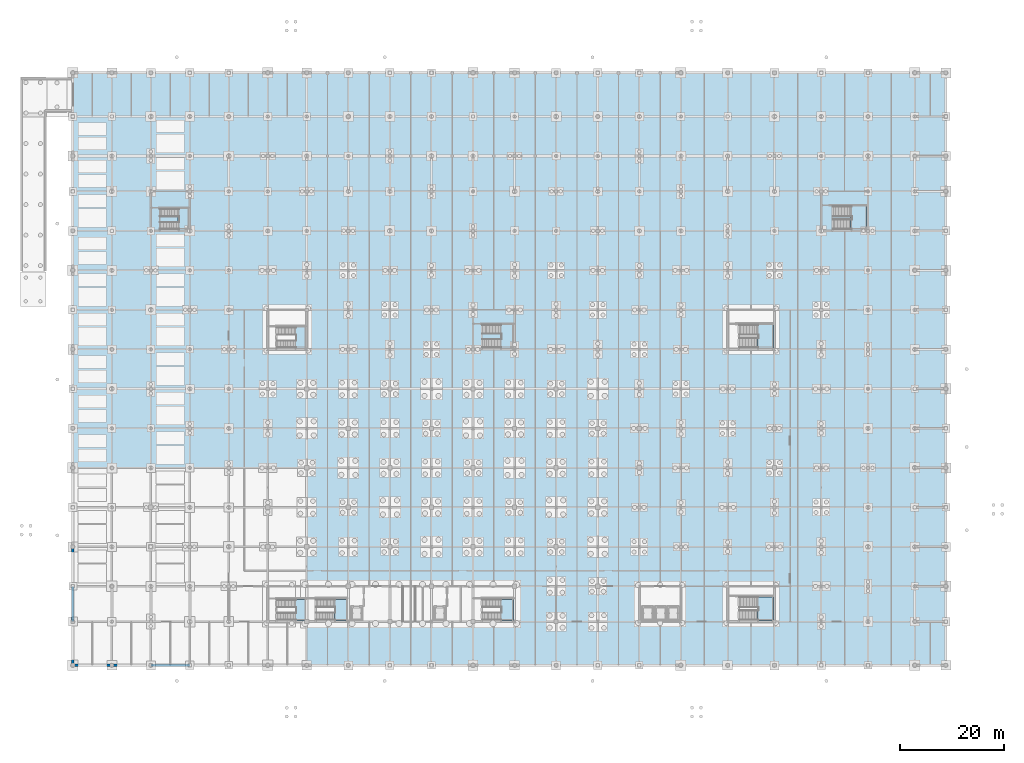
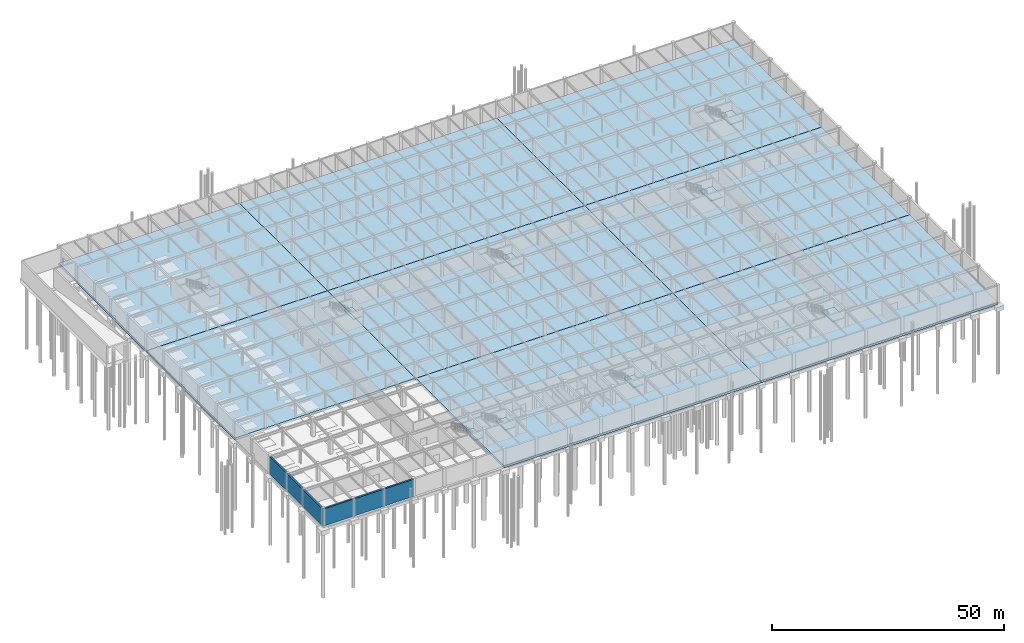
# One storey, part 38 of 53: 17 slabs, 6 walls, 9 elements without a shape of their own.
"""IFC4 building model written with IfcOpenShell, lengths in metres."""

from ifc_helpers import new_model, si_unit, direction, frame, frame_2d, origin, place, context, subcontext, project, spatial, polyline, rectangle, outline, extrude, material, layer, layer_set, type_object, element, aggregate, save


model = new_model("IFC4")

# Units and contexts
model_context = context("Model", 3, precision=1e-05, world=origin(), true_north=direction((0.0, 1.0)))
body_context = subcontext(model_context, "Body", "Model", "MODEL_VIEW")
ifc_project = project(units=[si_unit("LENGTHUNIT", "METRE"), si_unit("AREAUNIT", "SQUARE_METRE"), si_unit("VOLUMEUNIT", "CUBIC_METRE"), si_unit("PLANEANGLEUNIT", "RADIAN"), si_unit("MASSUNIT", "GRAM", prefix="KILO")], contexts=[model_context])

# Site, building, storey
site_placement = place(None, origin())
site = spatial("IfcSite", under=ifc_project, at=site_placement, CompositionType="ELEMENT")
building_placement = place(site_placement, origin())
building = spatial("IfcBuilding", under=site, at=building_placement, Name="Shalkamar Park Central Library", CompositionType="ELEMENT")
storey_placement = place(building_placement, frame((0.0, 0.0, -4.800048828125)))
storey = spatial("IfcBuildingStorey", under=building, at=storey_placement, Name="B1", CompositionType="ELEMENT", Elevation=-4.800048828125)

# Slabs
ifc_material_1 = material(Name="Concrete C35/45", Category="concrete")
ifc_layer_1 = layer(ifc_material_1, 0.60009765625)
ifc_layer_set_1 = layer_set([ifc_layer_1], Name="Concrete C35/45")
slab_type_1 = type_object("IfcSlabType", Name="Basement Base Slab 600", PredefinedType="BASESLAB", material=ifc_layer_set_1)
slab_1_placement = place(storey_placement, frame((0.0, 0.0, -0.599853515625)))
element("IfcSlab", 1, at=slab_1_placement, inside=storey, type_object=slab_type_1, Name="Basement B1 Base Slab Sector 4", PredefinedType="BASESLAB", context=body_context, shape_type="SweptSolid", body=[
    extrude(outline(polyline([(120.0, 278.0), (165.0, 278.0), (165.0, 316.0), (120.0, 316.0), (120.0, 278.0)])), origin(), (0.0, 0.0, 1.0), 0.599853515625),
])
slab_2_placement = place(storey_placement, frame((0.0, 0.0, -0.599853515625)))
element("IfcSlab", 2, at=slab_2_placement, inside=storey, type_object=slab_type_1, Name="Basement B1 Base Slab Sector 7", PredefinedType="BASESLAB", context=body_context, shape_type="SweptSolid", body=[
    extrude(outline(polyline([(120.0, 316.0), (165.0, 316.0), (165.0, 354.0), (120.0, 354.0), (120.0, 316.0)])), origin(), (0.0, 0.0, 1.0), 0.599853515625),
])
slab_3_placement = place(storey_placement, frame((0.0, 0.0, -0.599853515625)))
element("IfcSlab", 3, at=slab_3_placement, inside=storey, type_object=slab_type_1, Name="Basement B1 Base Slab Sector 2", PredefinedType="BASESLAB", context=body_context, shape_type="SweptSolid", body=[
    extrude(outline(polyline([(165.0, 240.0), (229.0, 240.0), (229.0, 278.0), (165.0, 278.0), (165.0, 240.0)])), origin(), (0.0, 0.0, 1.0), 0.599853515625),
])
slab_4_placement = place(storey_placement, frame((0.0, 0.0, -0.599853515625)))
element("IfcSlab", 4, at=slab_4_placement, inside=storey, type_object=slab_type_1, Name="Basement B1 Base Slab Sector 5", PredefinedType="BASESLAB", context=body_context, shape_type="SweptSolid", body=[
    extrude(outline(polyline([(165.0, 278.0), (229.0, 278.0), (229.0, 316.0), (165.0, 316.0), (165.0, 278.0)])), origin(), (0.0, 0.0, 1.0), 0.599853515625),
])
slab_5_placement = place(storey_placement, frame((0.0, 0.0, -0.599853515625)))
element("IfcSlab", 5, at=slab_5_placement, inside=storey, type_object=slab_type_1, Name="Basement B1 Base Slab Sector 8", PredefinedType="BASESLAB", context=body_context, shape_type="SweptSolid", body=[
    extrude(outline(polyline([(165.0, 316.0), (229.0, 316.0), (229.0, 354.0), (165.0, 354.0), (165.0, 316.0)])), origin(), (0.0, 0.0, 1.0), 0.599853515625),
])
slab_6_placement = place(storey_placement, frame((0.0, 0.0, -0.599853515625)))
element("IfcSlab", 6, at=slab_6_placement, inside=storey, type_object=slab_type_1, Name="Basement B1 Base Slab Sector 3", PredefinedType="BASESLAB", context=body_context, shape_type="SweptSolid", body=[
    extrude(outline(polyline([(229.0, 240.0), (288.0, 240.0), (288.0, 278.0), (229.0, 278.0), (229.0, 240.0)])), origin(), (0.0, 0.0, 1.0), 0.599853515625),
])
slab_7_placement = place(storey_placement, frame((0.0, 0.0, -0.599853515625)))
element("IfcSlab", 7, at=slab_7_placement, inside=storey, type_object=slab_type_1, Name="Basement B1 Base Slab Sector 6", PredefinedType="BASESLAB", context=body_context, shape_type="SweptSolid", body=[
    extrude(outline(polyline([(229.0, 278.0), (288.0, 278.0), (288.0, 316.0), (229.0, 316.0), (229.0, 278.0)])), origin(), (0.0, 0.0, 1.0), 0.599853515625),
])
slab_8_placement = place(storey_placement, frame((0.0, 0.0, -0.599853515625)))
element("IfcSlab", 8, at=slab_8_placement, inside=storey, type_object=slab_type_1, Name="Basement B1 Base Slab Sector 9", PredefinedType="BASESLAB", context=body_context, shape_type="SweptSolid", body=[
    extrude(outline(polyline([(229.0, 316.0), (288.0, 316.0), (288.0, 354.0), (229.0, 354.0), (229.0, 316.0)])), origin(), (0.0, 0.0, 1.0), 0.599853515625),
])

# Stair, slab
stair_type_1 = type_object("IfcStairType", Name="Protected Dog Leg Stair 150x480", PredefinedType="TWO_STRAIGHT_RUN_STAIR", material=ifc_material_1)
stair_1_placement = place(storey_placement, origin())
stair_1 = element("IfcStair", 9, at=stair_1_placement, inside=storey, type_object=stair_type_1, Name="Protected Core Stair ST-T1-B1", PredefinedType="TWO_STRAIGHT_RUN_STAIR")
ifc_layer_2 = layer(ifc_material_1, 0.280029296875)
ifc_layer_set_2 = layer_set([ifc_layer_2], Name="Concrete C35/45")
slab_type_2 = type_object("IfcSlabType", Name="Stair Landing Slab 160", PredefinedType="LANDING", material=ifc_layer_set_2)
slab_9_placement = place(storey_placement, frame((0.0, 0.0, 2.1201171875)))
slab_9 = element("IfcSlab", 10, at=slab_9_placement, type_object=slab_type_2, Name="ST-T1-B1 landing 1", PredefinedType="LANDING", context=body_context, shape_type="SweptSolid", body=[
    extrude(outline(polyline([(170.260009765625, 248.6201171875), (172.780029296875, 248.6201171875), (172.780029296875, 252.679931640625), (170.260009765625, 252.679931640625), (170.260009765625, 248.6201171875)])), origin(), (0.0, 0.0, 1.0), 0.280029296875),
])
aggregate(stair_1, [slab_9])

stair_2_placement = place(storey_placement, origin())
stair_2 = element("IfcStair", 11, at=stair_2_placement, inside=storey, type_object=stair_type_1, Name="Protected Core Stair ST-T2-B1", PredefinedType="TWO_STRAIGHT_RUN_STAIR")
slab_10_placement = place(storey_placement, frame((0.0, 0.0, 2.1201171875)))
slab_10 = element("IfcSlab", 12, at=slab_10_placement, type_object=slab_type_2, Name="ST-T2-B1 landing 1", PredefinedType="LANDING", context=body_context, shape_type="SweptSolid", body=[
    extrude(outline(polyline([(202.260009765625, 248.6201171875), (204.780029296875, 248.6201171875), (204.780029296875, 252.679931640625), (202.260009765625, 252.679931640625), (202.260009765625, 248.6201171875)])), origin(), (0.0, 0.0, 1.0), 0.280029296875),
])
aggregate(stair_2, [slab_10])

stair_3_placement = place(storey_placement, origin())
stair_3 = element("IfcStair", 13, at=stair_3_placement, inside=storey, type_object=stair_type_1, Name="Protected Core Stair ST-P1-B1", PredefinedType="TWO_STRAIGHT_RUN_STAIR")
slab_11_placement = place(storey_placement, frame((0.0, 0.0, 2.1201171875)))
slab_11 = element("IfcSlab", 14, at=slab_11_placement, type_object=slab_type_2, Name="ST-P1-B1 landing 1", PredefinedType="LANDING", context=body_context, shape_type="SweptSolid", body=[
    extrude(outline(polyline([(162.735107421875, 248.594970703125), (164.804931640625, 248.594970703125), (164.804931640625, 252.655029296875), (162.735107421875, 252.655029296875), (162.735107421875, 248.594970703125)])), origin(), (0.0, 0.0, 1.0), 0.280029296875),
])
aggregate(stair_3, [slab_11])

stair_4_placement = place(storey_placement, origin())
stair_4 = element("IfcStair", 15, at=stair_4_placement, inside=storey, type_object=stair_type_1, Name="Protected Core Stair ST-P2-B1", PredefinedType="TWO_STRAIGHT_RUN_STAIR")
slab_12_placement = place(storey_placement, frame((0.0, 0.0, 2.1201171875)))
slab_12 = element("IfcSlab", 16, at=slab_12_placement, type_object=slab_type_2, Name="ST-P2-B1 landing 1", PredefinedType="LANDING", context=body_context, shape_type="SweptSolid", body=[
    extrude(outline(polyline([(162.735107421875, 300.9951171875), (164.804931640625, 300.9951171875), (164.804931640625, 305.054931640625), (162.735107421875, 305.054931640625), (162.735107421875, 300.9951171875)])), origin(), (0.0, 0.0, 1.0), 0.280029296875),
])
aggregate(stair_4, [slab_12])

stair_type_2 = type_object("IfcStairType", Name="Protected Dog Leg Stair 200x480", PredefinedType="TWO_STRAIGHT_RUN_STAIR", material=ifc_material_1)
stair_5_placement = place(storey_placement, origin())
stair_5 = element("IfcStair", 17, at=stair_5_placement, inside=storey, type_object=stair_type_2, Name="Protected Core Stair ST-P3-B1", PredefinedType="TWO_STRAIGHT_RUN_STAIR")
slab_13_placement = place(storey_placement, frame((0.0, 0.0, 2.1201171875)))
slab_13 = element("IfcSlab", 18, at=slab_13_placement, type_object=slab_type_2, Name="ST-P3-B1 landing 1", PredefinedType="LANDING", context=body_context, shape_type="SweptSolid", body=[
    extrude(outline(polyline([(251.68505859375, 248.594970703125), (254.804931640625, 248.594970703125), (254.804931640625, 253.155029296875), (251.68505859375, 253.155029296875), (251.68505859375, 248.594970703125)])), origin(), (0.0, 0.0, 1.0), 0.280029296875),
])
aggregate(stair_5, [slab_13])

stair_6_placement = place(storey_placement, origin())
stair_6 = element("IfcStair", 19, at=stair_6_placement, inside=storey, type_object=stair_type_2, Name="Protected Core Stair ST-P4-B1", PredefinedType="TWO_STRAIGHT_RUN_STAIR")
slab_14_placement = place(storey_placement, frame((0.0, 0.0, 2.1201171875)))
slab_14 = element("IfcSlab", 20, at=slab_14_placement, type_object=slab_type_2, Name="ST-P4-B1 landing 1", PredefinedType="LANDING", context=body_context, shape_type="SweptSolid", body=[
    extrude(outline(polyline([(251.68505859375, 300.9951171875), (254.804931640625, 300.9951171875), (254.804931640625, 305.554931640625), (251.68505859375, 305.554931640625), (251.68505859375, 300.9951171875)])), origin(), (0.0, 0.0, 1.0), 0.280029296875),
])
aggregate(stair_6, [slab_14])

stair_7_placement = place(storey_placement, origin())
stair_7 = element("IfcStair", 21, at=stair_7_placement, inside=storey, type_object=stair_type_1, Name="Protected Core Stair ST-P5-B1", PredefinedType="TWO_STRAIGHT_RUN_STAIR")
slab_15_placement = place(storey_placement, frame((0.0, 0.0, 2.1201171875)))
slab_15 = element("IfcSlab", 22, at=slab_15_placement, type_object=slab_type_2, Name="ST-P5-B1 landing 1", PredefinedType="LANDING", context=body_context, shape_type="SweptSolid", body=[
    extrude(outline(polyline([(140.235107421875, 323.794921875), (142.304931640625, 323.794921875), (142.304931640625, 327.85498046875), (140.235107421875, 327.85498046875), (140.235107421875, 323.794921875)])), origin(), (0.0, 0.0, 1.0), 0.280029296875),
])
aggregate(stair_7, [slab_15])

stair_8_placement = place(storey_placement, origin())
stair_8 = element("IfcStair", 23, at=stair_8_placement, inside=storey, type_object=stair_type_2, Name="Protected Core Stair ST-P6-B1", PredefinedType="TWO_STRAIGHT_RUN_STAIR")
slab_16_placement = place(storey_placement, frame((0.0, 0.0, 2.1201171875)))
slab_16 = element("IfcSlab", 24, at=slab_16_placement, type_object=slab_type_2, Name="ST-P6-B1 landing 1", PredefinedType="LANDING", context=body_context, shape_type="SweptSolid", body=[
    extrude(outline(polyline([(269.68505859375, 323.794921875), (272.804931640625, 323.794921875), (272.804931640625, 328.35498046875), (269.68505859375, 328.35498046875), (269.68505859375, 323.794921875)])), origin(), (0.0, 0.0, 1.0), 0.280029296875),
])
aggregate(stair_8, [slab_16])

stair_type_3 = type_object("IfcStairType", Name="Protected Dog Leg Stair 180x480", PredefinedType="TWO_STRAIGHT_RUN_STAIR", material=ifc_material_1)
stair_9_placement = place(storey_placement, origin())
stair_9 = element("IfcStair", 25, at=stair_9_placement, inside=storey, type_object=stair_type_3, Name="Protected Core Stair ST-P7-B1", PredefinedType="TWO_STRAIGHT_RUN_STAIR")
slab_17_placement = place(storey_placement, frame((0.0, 0.0, 2.1201171875)))
slab_17 = element("IfcSlab", 26, at=slab_17_placement, type_object=slab_type_2, Name="ST-P7-B1 landing 1", PredefinedType="LANDING", context=body_context, shape_type="SweptSolid", body=[
    extrude(outline(polyline([(202.2548828125, 300.9951171875), (204.804931640625, 300.9951171875), (204.804931640625, 305.554931640625), (202.2548828125, 305.554931640625), (202.2548828125, 300.9951171875)])), origin(), (0.0, 0.0, 1.0), 0.280029296875),
])
aggregate(stair_9, [slab_17])

# Walls
ifc_material_2 = material(Name="Concrete C40/50", Category="concrete")
ifc_layer_3 = layer(ifc_material_2, 0.449951171875)
ifc_layer_set_3 = layer_set([ifc_layer_3], Name="Concrete C40/50")
wall_type = type_object("IfcWallType", Name="Basement Retaining Shear Wall 450", PredefinedType="SHEAR", material=ifc_layer_set_3)
for number, where, z_axis, x_axis, name in (
    (27, (120.0, 240.0, 0.0), (0.0, 0.0, 1.0), (1.0, 0.0, 0.0), "Basement Retaining Wall S-01"),
    (28, (127.5, 240.0, 0.0), (0.0, 0.0, 1.0), (1.0, 0.0, 0.0), "Basement Retaining Wall S-02"),
    (29, (135.0, 240.0, 0.0), (0.0, 0.0, 1.0), (1.0, 0.0, 0.0), "Basement Retaining Wall S-03"),
):
    element("IfcWall", number, at=place(storey_placement, frame(where, z_axis=z_axis, x_axis=x_axis)), inside=storey, type_object=wall_type, Name=name, PredefinedType="SHEAR", context=body_context, shape_type="SweptSolid", body=[
        extrude(rectangle(XDim=7.5, YDim=0.449951171875, at=frame_2d((3.75, 0.0))), origin(), (0.0, 0.0, 1.0), 4.510009765625),
    ])
wall_1_placement = place(storey_placement, frame((120.0, 240.0, 0.0), z_axis=(0.0, 0.0, 1.0), x_axis=(0.0, 1.0, 0.0)))
element("IfcWall", 30, at=wall_1_placement, inside=storey, type_object=wall_type, Name="Basement Retaining Wall W-A", PredefinedType="SHEAR", context=body_context, shape_type="SweptSolid", body=[
    extrude(rectangle(XDim=8.39990234375, YDim=0.449951171875, at=frame_2d((4.199951171875, 0.0))), origin(), (0.0, 0.0, 1.0), 4.510009765625),
])
wall_2_placement = place(storey_placement, frame((120.0, 248.39990234375, 0.0), z_axis=(0.0, 0.0, 1.0), x_axis=(0.0, 1.0, 0.0)))
element("IfcWall", 31, at=wall_2_placement, inside=storey, type_object=wall_type, Name="Basement Retaining Wall W-B", PredefinedType="SHEAR", context=body_context, shape_type="SweptSolid", body=[
    extrude(rectangle(XDim=6.800048828125, YDim=0.449951171875, at=frame_2d((3.39990234375, 0.0))), origin(), (0.0, 0.0, 1.0), 4.510009765625),
])
wall_3_placement = place(storey_placement, frame((120.0, 255.199951171875, 0.0), z_axis=(0.0, 0.0, 1.0), x_axis=(0.0, 1.0, 0.0)))
element("IfcWall", 32, at=wall_3_placement, inside=storey, type_object=wall_type, Name="Basement Retaining Wall W-C", PredefinedType="SHEAR", context=body_context, shape_type="SweptSolid", body=[
    extrude(rectangle(XDim=7.60009765625, YDim=0.449951171875, at=frame_2d((3.800048828125, 0.0))), origin(), (0.0, 0.0, 1.0), 4.510009765625),
])

save(model, "model.ifc")
